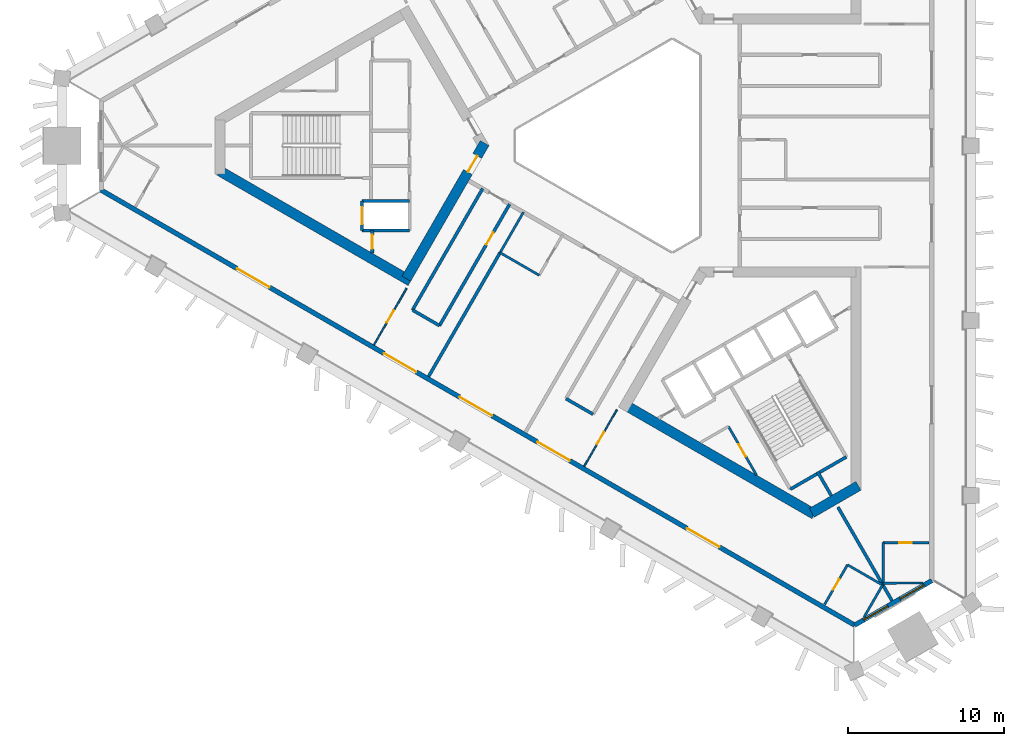
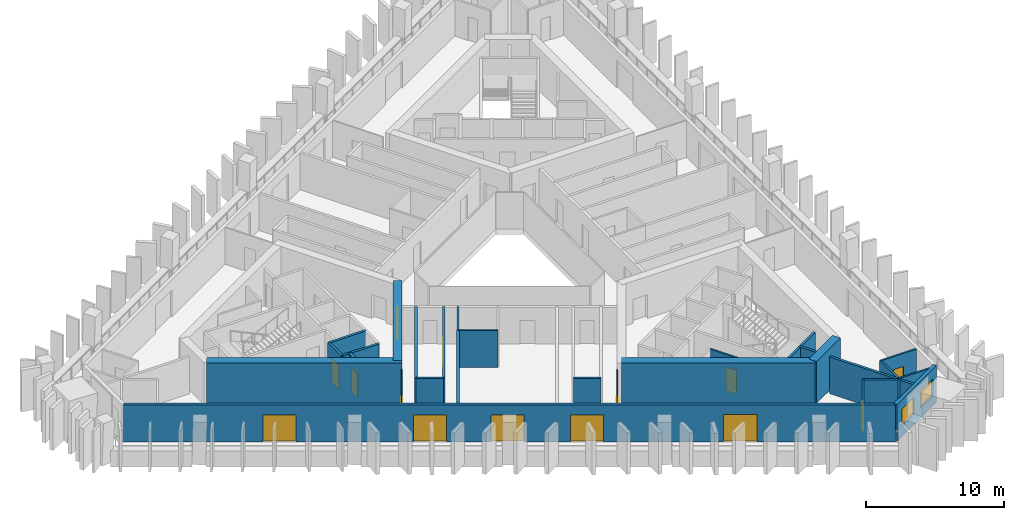
# One storey, part 2 of 11: 29 walls, 14 doors, 2 windows, 16 openings.
"""IFC4 building model written with IfcOpenShell, lengths in metres."""

from ifc_helpers import new_model, si_unit, direction, frame, frame_2d, origin, place, context, subcontext, project, spatial, rectangle, extrude, material, layer, layer_set, type_object, element, fill, save


model = new_model("IFC4")

# Units and contexts
model_context = context("Model", 3, precision=1e-05, world=origin(), true_north=direction((0.0, 1.0)))
body_context = subcontext(model_context, "Body", "Model", "MODEL_VIEW")
ifc_project = project(units=[si_unit("LENGTHUNIT", "METRE"), si_unit("AREAUNIT", "SQUARE_METRE"), si_unit("VOLUMEUNIT", "CUBIC_METRE"), si_unit("PLANEANGLEUNIT", "RADIAN"), si_unit("MASSUNIT", "GRAM", prefix="KILO")], contexts=[model_context])

# Site, building, storey
site_placement = place(None, origin())
site = spatial("IfcSite", under=ifc_project, at=site_placement, CompositionType="ELEMENT")
building_placement = place(site_placement, origin())
building = spatial("IfcBuilding", under=site, at=building_placement, Name="Jabali Bay Hotel Tower and Convention Centre", CompositionType="ELEMENT")
storey_placement = place(building_placement, frame((0.0, 0.0, 132.699951171875)))
storey = spatial("IfcBuildingStorey", under=building, at=storey_placement, Name="L32", CompositionType="ELEMENT", Elevation=132.699951171875)

# Wall, opening, door
ifc_material_1 = material(Name="Concrete C40", Category="concrete")
ifc_layer_1 = layer(ifc_material_1, 0.199951171875)
ifc_layer_set_1 = layer_set([ifc_layer_1], Name="Concrete C40")
wall_type_1 = type_object("IfcWallType", Name="Core partition wall 200", PredefinedType="PARTITIONING", material=ifc_layer_set_1)
wall_1_placement = place(storey_placement, frame((58.5, 74.550048828125, 0.0), z_axis=(0.0, 0.0, 1.0), x_axis=(0.0, -1.0, 0.0)))
wall_1 = element("IfcWall", 1, at=wall_1_placement, inside=storey, type_object=wall_type_1, Name="Core wall 0.11 L32", PredefinedType="PARTITIONING", context=body_context, shape_type="SweptSolid", body=[
    extrude(rectangle(XDim=1.455078125, YDim=0.199951171875, at=frame_2d((0.7275390625, 0.0))), origin(), (0.0, 0.0, 1.0), 3.25),
])
opening_1_placement = place(wall_1_placement, frame((0.277587890625, 0.0, 0.0)))
opening_1 = element("IfcOpeningElement", 2, at=opening_1_placement, cuts=wall_1, Name="Opening D706", PredefinedType="OPENING", context=body_context, shape_type="SweptSolid", body=[
    extrude(rectangle(XDim=0.89990234375, YDim=2.10009765625, at=frame_2d((0.449951171875, 1.050048828125))), frame((0.0, 0.1103515625, 0.0), z_axis=(0.0, -1.0, 0.0), x_axis=(1.0, 0.0, 0.0)), (0.0, 0.0, 1.0), 0.220947265625),
])
ifc_material_2 = material(Name="Fire-rated steel door", Category="steel")
door_type_1 = type_object("IfcDoorType", Name="Vestibule fire door 900 x 2100", OperationType="NOTDEFINED", PredefinedType="NOTDEFINED", material=ifc_material_2)
door_1_placement = place(opening_1_placement, origin())
door_1 = element("IfcDoor", 3, at=door_1_placement, inside=storey, type_object=door_type_1, Name="Vestibule fire door D706", OperationType="SINGLE_SWING_LEFT", OverallHeight=2.10009765625, OverallWidth=0.89990234375, PredefinedType="NOTDEFINED", context=body_context, shape_type="SweptSolid", body=[
    extrude(rectangle(XDim=0.89990234375, YDim=2.10009765625, at=frame_2d((0.449951171875, 1.050048828125))), frame((0.0, 0.02490234375, 0.0), z_axis=(0.0, -1.0, 0.0), x_axis=(1.0, 0.0, 0.0)), (0.0, 0.0, 1.0), 0.050048828125),
])
fill(opening_1, door_1)

# Wall
wall_2_placement = place(storey_placement, frame((87.090087890625, 59.0595703125, 0.0), z_axis=(0.0, 0.0, 1.0), x_axis=(0.499944938281, -0.866057191349, 0.0)))
element("IfcWall", 4, at=wall_2_placement, inside=storey, type_object=wall_type_1, Name="Core wall 2.5 L32", PredefinedType="PARTITIONING", context=body_context, shape_type="SweptSolid", body=[
    extrude(rectangle(XDim=1.773193359375, YDim=0.199951171875, at=frame_2d((0.88671875, 0.0))), origin(), (0.0, 0.0, 1.0), 3.25),
])

# Wall, opening, door
ifc_material_3 = material(Name="Fire-rated board partition")
ifc_layer_2 = layer(ifc_material_3, 0.14990234375)
ifc_layer_set_2 = layer_set([ifc_layer_2], Name="Fire-rated board partition")
wall_type_2 = type_object("IfcWallType", Name="Core room partition 150", PredefinedType="PARTITIONING", material=ifc_layer_set_2)
wall_3_placement = place(storey_placement, frame((81.368896484375, 61.96875, 0.0), z_axis=(0.0, 0.0, 1.0), x_axis=(0.499992664208, -0.866029639064, 0.0)))
wall_3 = element("IfcWall", 5, at=wall_3_placement, inside=storey, type_object=wall_type_2, Name="Core wall 2.1 L32", PredefinedType="PARTITIONING", context=body_context, shape_type="SweptSolid", body=[
    extrude(rectangle(XDim=3.59765625, YDim=0.14990234375, at=frame_2d((1.798828125, 0.0))), origin(), (0.0, 0.0, 1.0), 3.25),
])
opening_2_placement = place(wall_3_placement, frame((1.321533203125, 0.0, 0.0)))
opening_2 = element("IfcOpeningElement", 6, at=opening_2_placement, cuts=wall_3, Name="Opening D721", PredefinedType="OPENING", context=body_context, shape_type="SweptSolid", body=[
    extrude(rectangle(XDim=0.89990234375, YDim=2.10009765625, at=frame_2d((0.449951171875, 1.050048828125))), frame((0.0, 0.08544921875, 0.0), z_axis=(0.0, -1.0, 0.0), x_axis=(1.0, 0.0, 0.0)), (0.0, 0.0, 1.0), 0.1708984375),
])
door_type_2 = type_object("IfcDoorType", Name="Core room door 900 x 2100", OperationType="NOTDEFINED", PredefinedType="NOTDEFINED", material=ifc_material_2)
door_2_placement = place(opening_2_placement, origin())
door_2 = element("IfcDoor", 7, at=door_2_placement, inside=storey, type_object=door_type_2, Name="Core room door D721", OperationType="SINGLE_SWING_LEFT", OverallHeight=2.10009765625, OverallWidth=0.89990234375, PredefinedType="NOTDEFINED", context=body_context, shape_type="SweptSolid", body=[
    extrude(rectangle(XDim=0.89990234375, YDim=2.10009765625, at=frame_2d((0.449951171875, 1.050048828125))), frame((0.0, 0.02490234375, 0.0), z_axis=(0.0, -1.0, 0.0), x_axis=(1.0, 0.0, 0.0)), (0.0, 0.0, 1.0), 0.050048828125),
])
fill(opening_2, door_2)

# Walls
ifc_layer_3 = layer(ifc_material_1, 0.199951171875)
ifc_layer_set_3 = layer_set([ifc_layer_3], Name="Concrete C40")
wall_type_3 = type_object("IfcWallType", Name="Core stair wall 200", PredefinedType="SOLIDWALL", material=ifc_layer_set_3)
for number, where, z_axis, x_axis, name in (
    (8, (60.89990234375, 76.449951171875, 0.0), (0.0, 0.0, 1.0), (-1.0, 0.0, 0.0), "Core wall 0.7 L32"),
    (9, (60.89990234375, 74.550048828125, 0.0), (0.0, 0.0, 1.0), (-1.0, 0.0, 0.0), "Core wall 0.8 L32"),
):
    element("IfcWall", number, at=place(storey_placement, frame(where, z_axis=z_axis, x_axis=x_axis)), inside=storey, type_object=wall_type_3, Name=name, PredefinedType="SOLIDWALL", context=body_context, shape_type="SweptSolid", body=[
        extrude(rectangle(XDim=3.0498046875, YDim=0.199951171875, at=frame_2d((1.52490234375, 0.0))), origin(), (0.0, 0.0, 1.0), 3.25),
    ])

# Wall, opening, door
wall_4_placement = place(storey_placement, frame((57.85009765625, 76.449951171875, 0.0), z_axis=(0.0, 0.0, 1.0), x_axis=(0.0, -1.0, 0.0)))
wall_4 = element("IfcWall", 10, at=wall_4_placement, inside=storey, type_object=wall_type_3, Name="Core wall 0.13 L32", PredefinedType="SOLIDWALL", context=body_context, shape_type="SweptSolid", body=[
    extrude(rectangle(XDim=1.89990234375, YDim=0.199951171875, at=frame_2d((0.949951171875, 0.0))), origin(), (0.0, 0.0, 1.0), 3.25),
])
opening_3_placement = place(wall_4_placement, frame((0.39990234375, 0.0, 0.0)))
opening_3 = element("IfcOpeningElement", 11, at=opening_3_placement, cuts=wall_4, Name="Opening LD5-L32", PredefinedType="OPENING", context=body_context, shape_type="SweptSolid", body=[
    extrude(rectangle(XDim=1.10009765625, YDim=2.10009765625, at=frame_2d((0.550048828125, 1.050048828125))), frame((0.0, 0.1103515625, 0.0), z_axis=(0.0, -1.0, 0.0), x_axis=(1.0, 0.0, 0.0)), (0.0, 0.0, 1.0), 0.220947265625),
])
ifc_material_4 = material(Name="Stainless steel landing door", Category="steel")
door_type_3 = type_object("IfcDoorType", Name="Landing door 1100 x 2100", OperationType="NOTDEFINED", PredefinedType="NOTDEFINED", material=ifc_material_4)
door_3_placement = place(opening_3_placement, origin())
door_3 = element("IfcDoor", 12, at=door_3_placement, inside=storey, type_object=door_type_3, Name="Landing doors LD5-L32", OperationType="SLIDING_TO_RIGHT", OverallHeight=2.10009765625, OverallWidth=1.10009765625, PredefinedType="NOTDEFINED", context=body_context, shape_type="SweptSolid", body=[
    extrude(rectangle(XDim=1.10009765625, YDim=2.10009765625, at=frame_2d((0.550048828125, 1.050048828125))), frame((0.0, 0.02490234375, 0.0), z_axis=(0.0, -1.0, 0.0), x_axis=(1.0, 0.0, 0.0)), (0.0, 0.0, 1.0), 0.050048828125),
])
fill(opening_3, door_3)

# Walls
wall_5_placement = place(storey_placement, frame((85.343017578125, 57.935302734375, 0.0), z_axis=(0.0, 0.0, 1.0), x_axis=(0.866004344652, 0.500036473714, 0.0)))
element("IfcWall", 13, at=wall_5_placement, inside=storey, type_object=wall_type_3, Name="Core wall 2.17 L32", PredefinedType="SOLIDWALL", context=body_context, shape_type="SweptSolid", body=[
    extrude(rectangle(XDim=4.150146484375, YDim=0.199951171875, at=frame_2d((2.0751953125, 0.0))), origin(), (0.0, 0.0, 1.0), 3.25),
])
ifc_material_5 = material(Name="Concrete C60", Category="concrete")
ifc_layer_4 = layer(ifc_material_5, 0.64990234375)
ifc_layer_set_4 = layer_set([ifc_layer_4], Name="Concrete C60")
wall_type_4 = type_object("IfcWallType", Name="Core wall 650", PredefinedType="SHEAR", material=ifc_layer_set_4)
wall_6_placement = place(storey_placement, frame((48.721923828125, 78.364990234375, 0.0), z_axis=(0.0, 0.0, 1.0), x_axis=(0.866020036431, -0.500009296414, 0.0)))
element("IfcWall", 14, at=wall_6_placement, inside=storey, type_object=wall_type_4, Name="Core wall 1.4 L32", PredefinedType="SHEAR", context=body_context, shape_type="SweptSolid", body=[
    extrude(rectangle(XDim=14.145751953125, YDim=0.64990234375, at=frame_2d((7.07275390625, 0.0))), origin(), (0.0, 0.0, 1.0), 3.699951171875),
])

# Wall, opening, door
wall_7_placement = place(storey_placement, frame((60.691162109375, 71.45458984375, 0.0), z_axis=(0.0, 0.0, 1.0), x_axis=(0.499983075189, 0.866035175108, 0.0)))
wall_7 = element("IfcWall", 15, at=wall_7_placement, inside=storey, type_object=wall_type_4, Name="Core wall 1.5 L32", PredefinedType="SHEAR", context=body_context, shape_type="SweptSolid", body=[
    extrude(rectangle(XDim=10.054931640625, YDim=0.64990234375, at=frame_2d((5.02734375, 0.0))), origin(), (0.0, 0.0, 1.0), 3.699951171875),
])
opening_4_placement = place(wall_7_placement, frame((7.905029296875, 0.0, 0.0)))
opening_4 = element("IfcOpeningElement", 16, at=opening_4_placement, cuts=wall_7, Name="Opening D702", PredefinedType="OPENING", context=body_context, shape_type="SweptSolid", body=[
    extrude(rectangle(XDim=1.199951171875, YDim=2.10009765625, at=frame_2d((0.60009765625, 1.050048828125))), frame((0.0, 0.33544921875, 0.0), z_axis=(0.0, -1.0, 0.0), x_axis=(1.0, 0.0, 0.0)), (0.0, 0.0, 1.0), 0.6708984375),
])
door_type_4 = type_object("IfcDoorType", Name="Corridor end fire door 1200 x 2100", OperationType="NOTDEFINED", PredefinedType="NOTDEFINED", material=ifc_material_2)
door_4_placement = place(opening_4_placement, origin())
door_4 = element("IfcDoor", 17, at=door_4_placement, inside=storey, type_object=door_type_4, Name="Corridor end fire door D702", OperationType="SINGLE_SWING_LEFT", OverallHeight=2.10009765625, OverallWidth=1.199951171875, PredefinedType="NOTDEFINED", context=body_context, shape_type="SweptSolid", body=[
    extrude(rectangle(XDim=1.199951171875, YDim=2.10009765625, at=frame_2d((0.60009765625, 1.050048828125))), frame((0.0, 0.02490234375, 0.0), z_axis=(0.0, -1.0, 0.0), x_axis=(1.0, 0.0, 0.0)), (0.0, 0.0, 1.0), 0.050048828125),
])
fill(opening_4, door_4)

# Walls
wall_8_placement = place(storey_placement, frame((74.75390625, 63.33544921875, 0.0), z_axis=(0.0, 0.0, 1.0), x_axis=(0.866026250715, -0.49999853307, 0.0)))
element("IfcWall", 18, at=wall_8_placement, inside=storey, type_object=wall_type_4, Name="Core wall 3.2 L32", PredefinedType="SHEAR", context=body_context, shape_type="SweptSolid", body=[
    extrude(rectangle(XDim=14.00830078125, YDim=0.64990234375, at=frame_2d((7.004150390625, 0.0))), origin(), (0.0, 0.0, 1.0), 3.699951171875),
])
wall_9_placement = place(storey_placement, frame((86.72314453125, 56.425048828125, 0.0), z_axis=(0.0, 0.0, 1.0), x_axis=(0.866031550877, 0.499989352773, 0.0)))
element("IfcWall", 19, at=wall_9_placement, inside=storey, type_object=wall_type_4, Name="Core wall 3.3 L32", PredefinedType="SHEAR", context=body_context, shape_type="SweptSolid", body=[
    extrude(rectangle(XDim=3.45751953125, YDim=0.64990234375, at=frame_2d((1.728759765625, 0.0))), origin(), (0.0, 0.0, 1.0), 3.699951171875),
])

# Wall, openings, windows
ifc_layer_5 = layer(ifc_material_1, 0.300048828125)
ifc_layer_set_5 = layer_set([ifc_layer_5], Name="Concrete C40")
wall_type_5 = type_object("IfcWallType", Name="External wall 300", PredefinedType="SOLIDWALL", material=ifc_layer_set_5)
wall_10_placement = place(storey_placement, frame((94.426513671875, 52.068115234375, 0.0), z_axis=(0.0, 0.0, 1.0), x_axis=(-0.866021273833, -0.500007153218, 0.0)))
wall_10 = element("IfcWall", 20, at=wall_10_placement, inside=storey, type_object=wall_type_5, Name="External wall south-east chamfer L32", PredefinedType="SOLIDWALL", context=body_context, shape_type="SweptSolid", body=[
    extrude(rectangle(XDim=5.7158203125, YDim=0.300048828125, at=frame_2d((2.85791015625, 0.0))), origin(), (0.0, 0.0, 1.0), 3.25),
])
opening_5_placement = place(wall_10_placement, frame((0.557373046875, 0.0, 0.89990234375)))
opening_5 = element("IfcOpeningElement", 21, at=opening_5_placement, cuts=wall_10, Name="Opening W1", PredefinedType="OPENING", context=body_context, shape_type="SweptSolid", body=[
    extrude(rectangle(XDim=1.800048828125, YDim=1.5, at=frame_2d((0.89990234375, 0.75))), frame((0.0, 0.16064453125, 0.0), z_axis=(0.0, -1.0, 0.0), x_axis=(1.0, 0.0, 0.0)), (0.0, 0.0, 1.0), 0.321044921875),
])
opening_6_placement = place(wall_10_placement, frame((3.255126953125, 0.0, 0.89990234375)))
opening_6 = element("IfcOpeningElement", 22, at=opening_6_placement, cuts=wall_10, Name="Opening W1", PredefinedType="OPENING", context=body_context, shape_type="SweptSolid", body=[
    extrude(rectangle(XDim=1.800048828125, YDim=1.5, at=frame_2d((0.89990234375, 0.75))), frame((0.0, 0.16064453125, 0.0), z_axis=(0.0, -1.0, 0.0), x_axis=(1.0, 0.0, 0.0)), (0.0, 0.0, 1.0), 0.321044921875),
])
ifc_material_6 = material(Name="Glass", Category="glass")
window_type = type_object("IfcWindowType", Name="Window 1800 x 1500", PartitioningType="SINGLE_PANEL", PredefinedType="WINDOW", material=ifc_material_6)
window_1_placement = place(opening_5_placement, origin())
window_1 = element("IfcWindow", 23, at=window_1_placement, inside=storey, type_object=window_type, Name="Window 3201", OverallHeight=1.5, OverallWidth=1.800048828125, PartitioningType="SINGLE_PANEL", PredefinedType="WINDOW", context=body_context, shape_type="SweptSolid", body=[
    extrude(rectangle(XDim=1.800048828125, YDim=1.5, at=frame_2d((0.89990234375, 0.75))), frame((0.0, 0.030029296875, 0.0), z_axis=(0.0, -1.0, 0.0), x_axis=(1.0, 0.0, 0.0)), (0.0, 0.0, 1.0), 0.06005859375),
])
fill(opening_5, window_1)
window_2_placement = place(opening_6_placement, origin())
window_2 = element("IfcWindow", 24, at=window_2_placement, inside=storey, type_object=window_type, Name="Window 3214", OverallHeight=1.5, OverallWidth=1.800048828125, PartitioningType="SINGLE_PANEL", PredefinedType="WINDOW", context=body_context, shape_type="SweptSolid", body=[
    extrude(rectangle(XDim=1.800048828125, YDim=1.5, at=frame_2d((0.89990234375, 0.75))), frame((0.0, 0.030029296875, 0.0), z_axis=(0.0, -1.0, 0.0), x_axis=(1.0, 0.0, 0.0)), (0.0, 0.0, 1.0), 0.06005859375),
])
fill(opening_6, window_2)

# Wall, openings, doors
wall_11_placement = place(storey_placement, frame((89.4765625, 49.210205078125, 0.0), z_axis=(0.0, 0.0, 1.0), x_axis=(-0.866026276916, 0.499998487688, 0.0)))
wall_11 = element("IfcWall", 25, at=wall_11_placement, inside=storey, type_object=wall_type_5, Name="External wall south-west face L32", PredefinedType="SOLIDWALL", context=body_context, shape_type="SweptSolid", body=[
    extrude(rectangle(XDim=55.864013671875, YDim=0.300048828125, at=frame_2d((27.93212890625, 0.0))), origin(), (0.0, 0.0, 1.0), 3.25),
])
opening_7_placement = place(wall_11_placement, frame((26.887939453125, 0.0, 0.0)))
opening_7 = element("IfcOpeningElement", 26, at=opening_7_placement, cuts=wall_11, Name="Opening SD1", PredefinedType="OPENING", context=body_context, shape_type="SweptSolid", body=[
    extrude(rectangle(XDim=2.39990234375, YDim=2.39990234375, at=frame_2d((1.199951171875, 1.199951171875))), frame((0.0, 0.16064453125, 0.0), z_axis=(0.0, -1.0, 0.0), x_axis=(1.0, 0.0, 0.0)), (0.0, 0.0, 1.0), 0.321044921875),
])
opening_8_placement = place(wall_11_placement, frame((32.499755859375, 0.0, 0.0)))
opening_8 = element("IfcOpeningElement", 27, at=opening_8_placement, cuts=wall_11, Name="Opening SD1", PredefinedType="OPENING", context=body_context, shape_type="SweptSolid", body=[
    extrude(rectangle(XDim=2.39990234375, YDim=2.39990234375, at=frame_2d((1.199951171875, 1.199951171875))), frame((0.0, 0.16064453125, 0.0), z_axis=(0.0, -1.0, 0.0), x_axis=(1.0, 0.0, 0.0)), (0.0, 0.0, 1.0), 0.321044921875),
])
opening_9_placement = place(wall_11_placement, frame((43.383544921875, 0.0, 0.0)))
opening_9 = element("IfcOpeningElement", 28, at=opening_9_placement, cuts=wall_11, Name="Opening SD1", PredefinedType="OPENING", context=body_context, shape_type="SweptSolid", body=[
    extrude(rectangle(XDim=2.39990234375, YDim=2.39990234375, at=frame_2d((1.199951171875, 1.199951171875))), frame((0.0, 0.16064453125, 0.0), z_axis=(0.0, -1.0, 0.0), x_axis=(1.0, 0.0, 0.0)), (0.0, 0.0, 1.0), 0.321044921875),
])
opening_10_placement = place(wall_11_placement, frame((21.1201171875, 0.0, 0.0)))
opening_10 = element("IfcOpeningElement", 29, at=opening_10_placement, cuts=wall_11, Name="Opening SD1", PredefinedType="OPENING", context=body_context, shape_type="SweptSolid", body=[
    extrude(rectangle(XDim=2.39990234375, YDim=2.39990234375, at=frame_2d((1.199951171875, 1.199951171875))), frame((0.0, 0.16064453125, 0.0), z_axis=(0.0, -1.0, 0.0), x_axis=(1.0, 0.0, 0.0)), (0.0, 0.0, 1.0), 0.321044921875),
])
opening_11_placement = place(wall_11_placement, frame((10.02880859375, 0.0, 0.0)))
opening_11 = element("IfcOpeningElement", 30, at=opening_11_placement, cuts=wall_11, Name="Opening SD1", PredefinedType="OPENING", context=body_context, shape_type="SweptSolid", body=[
    extrude(rectangle(XDim=2.39990234375, YDim=2.39990234375, at=frame_2d((1.199951171875, 1.199951171875))), frame((0.0, 0.16064453125, 0.0), z_axis=(0.0, -1.0, 0.0), x_axis=(1.0, 0.0, 0.0)), (0.0, 0.0, 1.0), 0.321044921875),
])
door_type_5 = type_object("IfcDoorType", Name="Loggia sliding door 2400 x 2400", OperationType="NOTDEFINED", PredefinedType="NOTDEFINED", material=ifc_material_6)
door_5_placement = place(opening_7_placement, origin())
door_5 = element("IfcDoor", 31, at=door_5_placement, inside=storey, type_object=door_type_5, Name="Loggia sliding door 3213", OperationType="SLIDING_TO_LEFT", OverallHeight=2.39990234375, OverallWidth=2.39990234375, PredefinedType="NOTDEFINED", context=body_context, shape_type="SweptSolid", body=[
    extrude(rectangle(XDim=2.39990234375, YDim=2.39990234375, at=frame_2d((1.199951171875, 1.199951171875))), frame((0.0, 0.02490234375, 0.0), z_axis=(0.0, -1.0, 0.0), x_axis=(1.0, 0.0, 0.0)), (0.0, 0.0, 1.0), 0.050048828125),
])
fill(opening_7, door_5)
door_6_placement = place(opening_8_placement, origin())
door_6 = element("IfcDoor", 32, at=door_6_placement, inside=storey, type_object=door_type_5, Name="Loggia sliding door 3211", OperationType="SLIDING_TO_RIGHT", OverallHeight=2.39990234375, OverallWidth=2.39990234375, PredefinedType="NOTDEFINED", context=body_context, shape_type="SweptSolid", body=[
    extrude(rectangle(XDim=2.39990234375, YDim=2.39990234375, at=frame_2d((1.199951171875, 1.199951171875))), frame((0.0, 0.02490234375, 0.0), z_axis=(0.0, -1.0, 0.0), x_axis=(1.0, 0.0, 0.0)), (0.0, 0.0, 1.0), 0.050048828125),
])
fill(opening_8, door_6)
door_7_placement = place(opening_9_placement, origin())
door_7 = element("IfcDoor", 33, at=door_7_placement, inside=storey, type_object=door_type_5, Name="Loggia sliding door 3211", OperationType="SLIDING_TO_LEFT", OverallHeight=2.39990234375, OverallWidth=2.39990234375, PredefinedType="NOTDEFINED", context=body_context, shape_type="SweptSolid", body=[
    extrude(rectangle(XDim=2.39990234375, YDim=2.39990234375, at=frame_2d((1.199951171875, 1.199951171875))), frame((0.0, 0.02490234375, 0.0), z_axis=(0.0, -1.0, 0.0), x_axis=(1.0, 0.0, 0.0)), (0.0, 0.0, 1.0), 0.050048828125),
])
fill(opening_9, door_7)
door_8_placement = place(opening_10_placement, origin())
door_8 = element("IfcDoor", 34, at=door_8_placement, inside=storey, type_object=door_type_5, Name="Loggia sliding door 3214", OperationType="SLIDING_TO_RIGHT", OverallHeight=2.39990234375, OverallWidth=2.39990234375, PredefinedType="NOTDEFINED", context=body_context, shape_type="SweptSolid", body=[
    extrude(rectangle(XDim=2.39990234375, YDim=2.39990234375, at=frame_2d((1.199951171875, 1.199951171875))), frame((0.0, 0.02490234375, 0.0), z_axis=(0.0, -1.0, 0.0), x_axis=(1.0, 0.0, 0.0)), (0.0, 0.0, 1.0), 0.050048828125),
])
fill(opening_10, door_8)
door_9_placement = place(opening_11_placement, origin())
door_9 = element("IfcDoor", 35, at=door_9_placement, inside=storey, type_object=door_type_5, Name="Loggia sliding door 3214", OperationType="SLIDING_TO_LEFT", OverallHeight=2.39990234375, OverallWidth=2.39990234375, PredefinedType="NOTDEFINED", context=body_context, shape_type="SweptSolid", body=[
    extrude(rectangle(XDim=2.39990234375, YDim=2.39990234375, at=frame_2d((1.199951171875, 1.199951171875))), frame((0.0, 0.02490234375, 0.0), z_axis=(0.0, -1.0, 0.0), x_axis=(1.0, 0.0, 0.0)), (0.0, 0.0, 1.0), 0.050048828125),
])
fill(opening_11, door_9)

# Wall, opening, door
ifc_material_7 = material(Name="Plasterboard on steel stud", Category="steel")
ifc_layer_6 = layer(ifc_material_7, 0.10009765625)
ifc_layer_set_6 = layer_set([ifc_layer_6], Name="Plasterboard on steel stud")
wall_type_6 = type_object("IfcWallType", Name="Partition 100 unit", PredefinedType="PARTITIONING", material=ifc_layer_set_6)
wall_12_placement = place(storey_placement, frame((60.71044921875, 70.83837890625, 0.0), z_axis=(0.0, 0.0, 1.0), x_axis=(-0.49999760543, -0.866026786286, 0.0)))
wall_12 = element("IfcWall", 36, at=wall_12_placement, inside=storey, type_object=wall_type_6, Name="Partition P02 L32 041", PredefinedType="PARTITIONING", context=body_context, shape_type="SweptSolid", body=[
    extrude(rectangle(XDim=4.19873046875, YDim=0.10009765625, at=frame_2d((2.099365234375, 0.0))), origin(), (0.0, 0.0, 1.0), 3.25),
])
opening_12_placement = place(wall_12_placement, frame((1.64892578125, 0.0, 0.0)))
opening_12 = element("IfcOpeningElement", 37, at=opening_12_placement, cuts=wall_12, Name="Opening 3222", PredefinedType="OPENING", context=body_context, shape_type="SweptSolid", body=[
    extrude(rectangle(XDim=0.89990234375, YDim=2.10009765625, at=frame_2d((0.449951171875, 1.050048828125))), frame((0.0, 0.060546875, 0.0), z_axis=(0.0, -1.0, 0.0), x_axis=(1.0, 0.0, 0.0)), (0.0, 0.0, 1.0), 0.12109375),
])
ifc_material_8 = material(Name="Timber", Category="wood")
door_type_6 = type_object("IfcDoorType", Name="Internal door 900 x 2100", OperationType="NOTDEFINED", PredefinedType="NOTDEFINED", material=ifc_material_8)
door_10_placement = place(opening_12_placement, origin())
door_10 = element("IfcDoor", 38, at=door_10_placement, inside=storey, type_object=door_type_6, Name="Door 3222", OperationType="SINGLE_SWING_LEFT", OverallHeight=2.10009765625, OverallWidth=0.89990234375, PredefinedType="NOTDEFINED", context=body_context, shape_type="SweptSolid", body=[
    extrude(rectangle(XDim=0.89990234375, YDim=2.10009765625, at=frame_2d((0.449951171875, 1.050048828125))), frame((0.0, 0.02490234375, 0.0), z_axis=(0.0, -1.0, 0.0), x_axis=(1.0, 0.0, 0.0)), (0.0, 0.0, 1.0), 0.050048828125),
])
fill(opening_12, door_10)

wall_13_placement = place(storey_placement, frame((72.111083984375, 59.407958984375, 0.0), z_axis=(0.0, 0.0, 1.0), x_axis=(0.49999760543, 0.866026786286, 0.0)))
wall_13 = element("IfcWall", 39, at=wall_13_placement, inside=storey, type_object=wall_type_6, Name="Partition P02 L32 053", PredefinedType="PARTITIONING", context=body_context, shape_type="SweptSolid", body=[
    extrude(rectangle(XDim=4.19873046875, YDim=0.10009765625, at=frame_2d((2.099365234375, 0.0))), origin(), (0.0, 0.0, 1.0), 3.25),
])
opening_13_placement = place(wall_13_placement, frame((1.64892578125, 0.0, 0.0)))
opening_13 = element("IfcOpeningElement", 40, at=opening_13_placement, cuts=wall_13, Name="Opening 3228", PredefinedType="OPENING", context=body_context, shape_type="SweptSolid", body=[
    extrude(rectangle(XDim=0.89990234375, YDim=2.10009765625, at=frame_2d((0.449951171875, 1.050048828125))), frame((0.0, 0.060546875, 0.0), z_axis=(0.0, -1.0, 0.0), x_axis=(1.0, 0.0, 0.0)), (0.0, 0.0, 1.0), 0.12109375),
])
door_11_placement = place(opening_13_placement, origin())
door_11 = element("IfcDoor", 41, at=door_11_placement, inside=storey, type_object=door_type_6, Name="Door 3228", OperationType="SINGLE_SWING_LEFT", OverallHeight=2.10009765625, OverallWidth=0.89990234375, PredefinedType="NOTDEFINED", context=body_context, shape_type="SweptSolid", body=[
    extrude(rectangle(XDim=0.89990234375, YDim=2.10009765625, at=frame_2d((0.449951171875, 1.050048828125))), frame((0.0, 0.02490234375, 0.0), z_axis=(0.0, -1.0, 0.0), x_axis=(1.0, 0.0, 0.0)), (0.0, 0.0, 1.0), 0.050048828125),
])
fill(opening_13, door_11)

# Walls
ifc_layer_7 = layer(ifc_material_7, 0.14990234375)
ifc_layer_set_7 = layer_set([ifc_layer_7], Name="Plasterboard on steel stud")
wall_type_7 = type_object("IfcWallType", Name="Partition 150 wet", PredefinedType="PARTITIONING", material=ifc_layer_set_7)
wall_14_placement = place(storey_placement, frame((93.868408203125, 51.91796875, 0.0), z_axis=(0.0, 0.0, 1.0), x_axis=(-0.999994138143, -0.003423986016, 0.0)))
element("IfcWall", 42, at=wall_14_placement, inside=storey, type_object=wall_type_7, Name="Partition P03 L32 007", PredefinedType="PARTITIONING", context=body_context, shape_type="SweptSolid", body=[
    extrude(rectangle(XDim=2.56689453125, YDim=0.14990234375, at=frame_2d((1.283447265625, 0.0))), origin(), (0.0, 0.0, 1.0), 3.25),
])
wall_15_placement = place(storey_placement, frame((91.301513671875, 51.9091796875, 0.0), z_axis=(0.0, 0.0, 1.0), x_axis=(0.0, 1.0, 0.0)))
element("IfcWall", 43, at=wall_15_placement, inside=storey, type_object=wall_type_7, Name="Partition P03 L32 008", PredefinedType="PARTITIONING", context=body_context, shape_type="SweptSolid", body=[
    extrude(rectangle(XDim=2.60009765625, YDim=0.14990234375, at=frame_2d((1.300048828125, 0.0))), origin(), (0.0, 0.0, 1.0), 3.25),
])

# Wall, opening, door
wall_16_placement = place(storey_placement, frame((91.301513671875, 54.50927734375, 0.0), z_axis=(0.0, 0.0, 1.0), x_axis=(1.0, 0.0, 0.0)))
wall_16 = element("IfcWall", 44, at=wall_16_placement, inside=storey, type_object=wall_type_7, Name="Partition P03 L32 009", PredefinedType="PARTITIONING", context=body_context, shape_type="SweptSolid", body=[
    extrude(rectangle(XDim=2.93505859375, YDim=0.14990234375, at=frame_2d((1.467529296875, 0.0))), origin(), (0.0, 0.0, 1.0), 3.25),
])
opening_14_placement = place(wall_16_placement, frame((1.050048828125, 0.0, 0.0)))
opening_14 = element("IfcOpeningElement", 45, at=opening_14_placement, cuts=wall_16, Name="Opening 3203", PredefinedType="OPENING", context=body_context, shape_type="SweptSolid", body=[
    extrude(rectangle(XDim=0.800048828125, YDim=2.10009765625, at=frame_2d((0.39990234375, 1.050048828125))), frame((0.0, 0.08544921875, 0.0), z_axis=(0.0, -1.0, 0.0), x_axis=(1.0, 0.0, 0.0)), (0.0, 0.0, 1.0), 0.1708984375),
])
door_type_7 = type_object("IfcDoorType", Name="En-suite door 800 x 2100", OperationType="NOTDEFINED", PredefinedType="NOTDEFINED", material=ifc_material_8)
door_12_placement = place(opening_14_placement, origin())
door_12 = element("IfcDoor", 46, at=door_12_placement, inside=storey, type_object=door_type_7, Name="Door 3203", OperationType="SINGLE_SWING_RIGHT", OverallHeight=2.10009765625, OverallWidth=0.800048828125, PredefinedType="NOTDEFINED", context=body_context, shape_type="SweptSolid", body=[
    extrude(rectangle(XDim=0.800048828125, YDim=2.10009765625, at=frame_2d((0.39990234375, 1.050048828125))), frame((0.0, 0.02490234375, 0.0), z_axis=(0.0, -1.0, 0.0), x_axis=(1.0, 0.0, 0.0)), (0.0, 0.0, 1.0), 0.050048828125),
])
fill(opening_14, door_12)

# Walls
wall_17_placement = place(storey_placement, frame((66.7099609375, 73.123779296875, 0.0), z_axis=(0.0, 0.0, 1.0), x_axis=(0.499990139034, 0.866031096941, 0.0)))
element("IfcWall", 47, at=wall_17_placement, inside=storey, type_object=wall_type_7, Name="Partition P03 L32 046", PredefinedType="PARTITIONING", context=body_context, shape_type="SweptSolid", body=[
    extrude(rectangle(XDim=3.0, YDim=0.14990234375, at=frame_2d((1.5, 0.0))), origin(), (0.0, 0.0, 1.0), 3.25),
])
wall_18_placement = place(storey_placement, frame((69.221435546875, 71.673828125, 0.0), z_axis=(0.0, 0.0, 1.0), x_axis=(-0.866032775405, 0.499987231761, 0.0)))
element("IfcWall", 48, at=wall_18_placement, inside=storey, type_object=wall_type_7, Name="Partition P03 L32 051", PredefinedType="PARTITIONING", context=body_context, shape_type="SweptSolid", body=[
    extrude(rectangle(XDim=2.89990234375, YDim=0.14990234375, at=frame_2d((1.449951171875, 0.0))), origin(), (0.0, 0.0, 1.0), 3.25),
])

# Wall, opening, door
wall_19_placement = place(storey_placement, frame((87.546875, 50.54345703125, 0.0), z_axis=(0.0, 0.0, 1.0), x_axis=(0.499976855651, 0.866038765768, 0.0)))
wall_19 = element("IfcWall", 49, at=wall_19_placement, inside=storey, type_object=wall_type_7, Name="Partition P03 L32 057", PredefinedType="PARTITIONING", context=body_context, shape_type="SweptSolid", body=[
    extrude(rectangle(XDim=2.935302734375, YDim=0.14990234375, at=frame_2d((1.4677734375, 0.0))), origin(), (0.0, 0.0, 1.0), 3.25),
])
opening_15_placement = place(wall_19_placement, frame((1.085205078125, 0.0, 0.0)))
opening_15 = element("IfcOpeningElement", 50, at=opening_15_placement, cuts=wall_19, Name="Opening 3229", PredefinedType="OPENING", context=body_context, shape_type="SweptSolid", body=[
    extrude(rectangle(XDim=0.800048828125, YDim=2.10009765625, at=frame_2d((0.39990234375, 1.050048828125))), frame((0.0, 0.08544921875, 0.0), z_axis=(0.0, -1.0, 0.0), x_axis=(1.0, 0.0, 0.0)), (0.0, 0.0, 1.0), 0.1708984375),
])
door_13_placement = place(opening_15_placement, origin())
door_13 = element("IfcDoor", 51, at=door_13_placement, inside=storey, type_object=door_type_7, Name="Door 3229", OperationType="SINGLE_SWING_RIGHT", OverallHeight=2.10009765625, OverallWidth=0.800048828125, PredefinedType="NOTDEFINED", context=body_context, shape_type="SweptSolid", body=[
    extrude(rectangle(XDim=0.800048828125, YDim=2.10009765625, at=frame_2d((0.39990234375, 1.050048828125))), frame((0.0, 0.02490234375, 0.0), z_axis=(0.0, -1.0, 0.0), x_axis=(1.0, 0.0, 0.0)), (0.0, 0.0, 1.0), 0.050048828125),
])
fill(opening_15, door_13)

# Walls
wall_20_placement = place(storey_placement, frame((89.014404296875, 53.08544921875, 0.0), z_axis=(0.0, 0.0, 1.0), x_axis=(0.866021400173, -0.500006934395, 0.0)))
element("IfcWall", 52, at=wall_20_placement, inside=storey, type_object=wall_type_7, Name="Partition P03 L32 058", PredefinedType="PARTITIONING", context=body_context, shape_type="SweptSolid", body=[
    extrude(rectangle(XDim=2.60009765625, YDim=0.14990234375, at=frame_2d((1.300048828125, 0.0))), origin(), (0.0, 0.0, 1.0), 3.25),
])
wall_21_placement = place(storey_placement, frame((91.26611328125, 51.785400390625, 0.0), z_axis=(0.0, 0.0, 1.0), x_axis=(-0.49995699919, -0.866050228891, 0.0)))
element("IfcWall", 53, at=wall_21_placement, inside=storey, type_object=wall_type_7, Name="Partition P03 L32 059", PredefinedType="PARTITIONING", context=body_context, shape_type="SweptSolid", body=[
    extrude(rectangle(XDim=2.372802734375, YDim=0.14990234375, at=frame_2d((1.1865234375, 0.0))), origin(), (0.0, 0.0, 1.0), 3.25),
])
ifc_layer_8 = layer(ifc_material_7, 0.199951171875)
ifc_layer_set_8 = layer_set([ifc_layer_8], Name="Plasterboard on steel stud")
wall_type_8 = type_object("IfcWallType", Name="Partition 200 party", PredefinedType="PARTITIONING", material=ifc_layer_set_8)
wall_22_placement = place(storey_placement, frame((88.401123046875, 56.788818359375, 0.0), z_axis=(0.0, 0.0, 1.0), x_axis=(0.499972739829, -0.866041141879, 0.0)))
element("IfcWall", 54, at=wall_22_placement, inside=storey, type_object=wall_type_8, Name="Partition P01 L32 010", PredefinedType="PARTITIONING", context=body_context, shape_type="SweptSolid", body=[
    extrude(rectangle(XDim=6.9521484375, YDim=0.199951171875, at=frame_2d((3.47607421875, 0.0))), origin(), (0.0, 0.0, 1.0), 3.25),
])

# Wall, opening, door
wall_23_placement = place(storey_placement, frame((67.321044921875, 76.235107421875, 0.0), z_axis=(0.0, 0.0, 1.0), x_axis=(-0.5000018851, -0.866024315419, 0.0)))
wall_23 = element("IfcWall", 55, at=wall_23_placement, inside=storey, type_object=wall_type_8, Name="Partition P01 L32 042", PredefinedType="PARTITIONING", context=body_context, shape_type="SweptSolid", body=[
    extrude(rectangle(XDim=9.0, YDim=0.199951171875, at=frame_2d((4.5, 0.0))), origin(), (0.0, 0.0, 1.0), 3.25),
])
opening_16_placement = place(wall_23_placement, frame((2.10009765625, 0.0, 0.0)))
opening_16 = element("IfcOpeningElement", 56, at=opening_16_placement, cuts=wall_23, Name="Opening 3224", PredefinedType="OPENING", context=body_context, shape_type="SweptSolid", body=[
    extrude(rectangle(XDim=0.89990234375, YDim=2.10009765625, at=frame_2d((0.449951171875, 1.050048828125))), frame((0.0, 0.1103515625, 0.0), z_axis=(0.0, -1.0, 0.0), x_axis=(1.0, 0.0, 0.0)), (0.0, 0.0, 1.0), 0.220947265625),
])
door_14_placement = place(opening_16_placement, origin())
door_14 = element("IfcDoor", 57, at=door_14_placement, inside=storey, type_object=door_type_6, Name="Door 3224", OperationType="SINGLE_SWING_LEFT", OverallHeight=2.10009765625, OverallWidth=0.89990234375, PredefinedType="NOTDEFINED", context=body_context, shape_type="SweptSolid", body=[
    extrude(rectangle(XDim=0.89990234375, YDim=2.10009765625, at=frame_2d((0.449951171875, 1.050048828125))), frame((0.0, 0.02490234375, 0.0), z_axis=(0.0, -1.0, 0.0), x_axis=(1.0, 0.0, 0.0)), (0.0, 0.0, 1.0), 0.050048828125),
])
fill(opening_16, door_14)

# Walls
wall_24_placement = place(storey_placement, frame((62.821044921875, 68.44091796875, 0.0), z_axis=(0.0, 0.0, 1.0), x_axis=(-0.866041268327, 0.499972520799, 0.0)))
element("IfcWall", 58, at=wall_24_placement, inside=storey, type_object=wall_type_8, Name="Partition P01 L32 043", PredefinedType="PARTITIONING", context=body_context, shape_type="SweptSolid", body=[
    extrude(rectangle(XDim=2.0, YDim=0.199951171875, at=frame_2d((1.0, 0.0))), origin(), (0.0, 0.0, 1.0), 3.25),
])
wall_25_placement = place(storey_placement, frame((61.0888671875, 69.44091796875, 0.0), z_axis=(0.0, 0.0, 1.0), x_axis=(0.5000018851, 0.866024315419, 0.0)))
element("IfcWall", 59, at=wall_25_placement, inside=storey, type_object=wall_type_8, Name="Partition P01 L32 044", PredefinedType="PARTITIONING", context=body_context, shape_type="SweptSolid", body=[
    extrude(rectangle(XDim=9.0, YDim=0.199951171875, at=frame_2d((4.5, 0.0))), origin(), (0.0, 0.0, 1.0), 3.25),
])
wall_26_placement = place(storey_placement, frame((62.12109375, 65.17578125, 0.0), z_axis=(0.0, 0.0, 1.0), x_axis=(0.5000072221, 0.866021234063, 0.0)))
element("IfcWall", 60, at=wall_26_placement, inside=storey, type_object=wall_type_8, Name="Partition P01 L32 045", PredefinedType="PARTITIONING", context=body_context, shape_type="SweptSolid", body=[
    extrude(rectangle(XDim=9.177490234375, YDim=0.199951171875, at=frame_2d((4.5888671875, 0.0))), origin(), (0.0, 0.0, 1.0), 3.25),
])
wall_27_placement = place(storey_placement, frame((72.676025390625, 62.7509765625, 0.0), z_axis=(0.0, 0.0, 1.0), x_axis=(-0.866010750942, 0.50002537861, 0.0)))
element("IfcWall", 61, at=wall_27_placement, inside=storey, type_object=wall_type_8, Name="Partition P01 L32 055", PredefinedType="PARTITIONING", context=body_context, shape_type="SweptSolid", body=[
    extrude(rectangle(XDim=2.0, YDim=0.199951171875, at=frame_2d((1.0, 0.0))), origin(), (0.0, 0.0, 1.0), 3.25),
])

save(model, "model.ifc")
